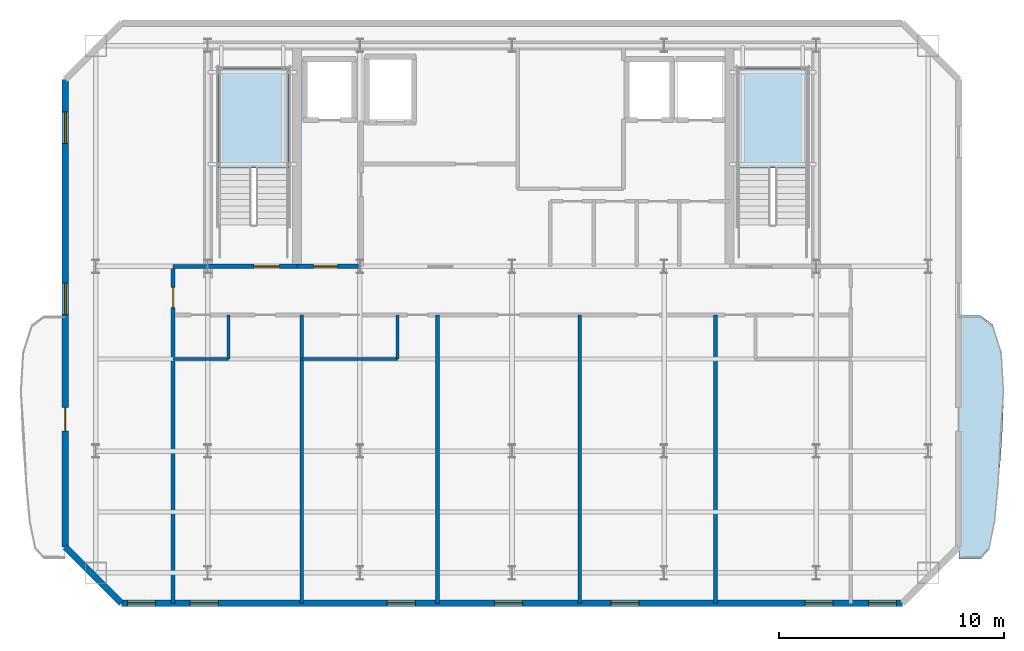
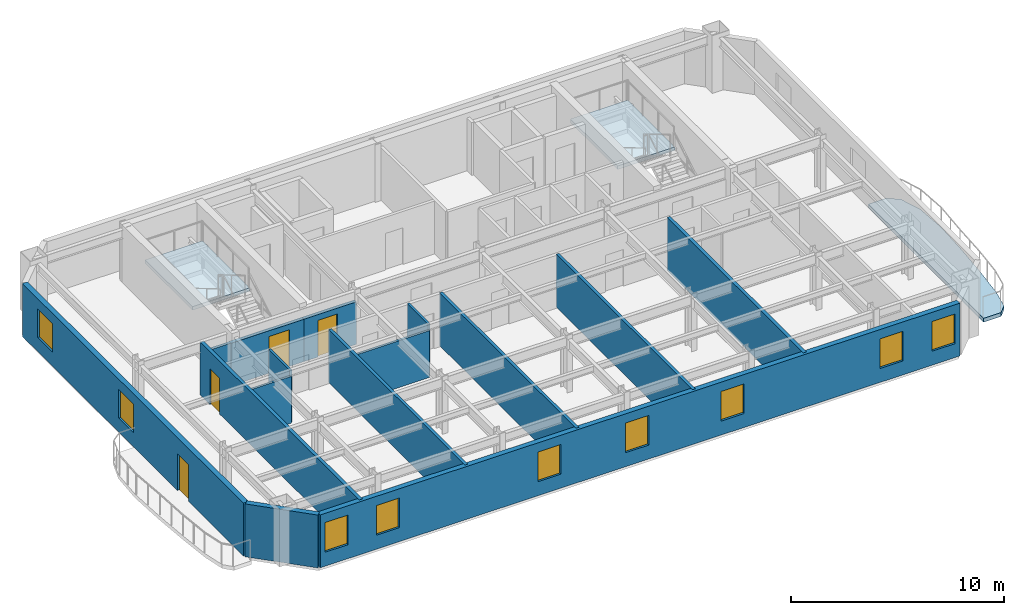
# One storey, part 2 of 6: 15 walls, 9 windows, 4 doors, 3 slabs, 13 openings, 2 elements without a shape of their own.
"""IFC4 building model written with IfcOpenShell, lengths in metres."""

import ifcopenshell
import ifcopenshell.guid

model = None  # the IFC model being written
_history = None  # IfcOwnerHistory: only IFC2X3 demands one
_inside = {}  # id of a spatial element -> (the spatial element, [elements in it])
_under = {}  # id of a project, library or spatial element -> (it, [spatial elements below it])
_declared = {}  # id of a project -> (the project, [libraries it declares])
_typed = {}  # id of a type object -> (the type object, [elements of that type])
_made_of = {}  # id of a material, layer set ... -> (it, [elements and type objects made of it])


def new_model(schema):
    """Start an empty IFC model of exactly this schema.

    Asked for "IFC4X3", IfcOpenShell would pick the latest addendum, in which some entities
    have other attributes; the version numbers below select the first issue.
    IFC2X3 requires an IfcOwnerHistory on every rooted entity: one is made here for all.
    """
    global model, _history
    if schema == "IFC4X3":
        model = ifcopenshell.file(schema_version=(4, 3, 0, 0))
    else:
        model = ifcopenshell.file(schema=schema)
    _inside.clear()
    _under.clear()
    _declared.clear()
    _typed.clear()
    _made_of.clear()
    _history = None
    if model.schema == "IFC2X3":
        org = make("IfcOrganization", Name="unknown")
        user = make(
            "IfcPersonAndOrganization",
            ThePerson=make("IfcPerson", FamilyName="unknown"),
            TheOrganization=org,
        )
        app = make(
            "IfcApplication",
            ApplicationDeveloper=org,
            Version="unknown",
            ApplicationFullName="unknown",
            ApplicationIdentifier="unknown",
        )
        _history = make(
            "IfcOwnerHistory",
            OwningUser=user,
            OwningApplication=app,
            ChangeAction="ADDED",
            CreationDate=0,
        )
    return model


def make(cls, **values):
    """One entity of the class cls with the attributes given. An attribute that is None is left unset."""
    return model.create_entity(
        cls, **{name: value for name, value in values.items() if value is not None}
    )


def rooted(cls, **values):
    """An entity with a GlobalId (a new one), such as an element, a storey or a relation."""
    return make(cls, GlobalId=ifcopenshell.guid.new(), OwnerHistory=_history, **values)


def si_unit(unit_type, name, prefix=None):
    """IfcSIUnit, for example si_unit("LENGTHUNIT", "METRE", prefix="MILLI")."""
    return make("IfcSIUnit", UnitType=unit_type, Prefix=prefix, Name=name)


def assignment(units):
    """IfcUnitAssignment: the units of a project."""
    return None if units is None else make("IfcUnitAssignment", Units=units)


def point(xyz):
    """IfcCartesianPoint."""
    return None if xyz is None else make("IfcCartesianPoint", Coordinates=xyz)


def direction(xyz):
    """IfcDirection."""
    return None if xyz is None else make("IfcDirection", DirectionRatios=xyz)


def frame(location, z_axis=None, x_axis=None):
    """IfcAxis2Placement3D, a coordinate frame: its origin and axes. An axis left out is left unset."""
    return make(
        "IfcAxis2Placement3D",
        Location=point(location),
        Axis=direction(z_axis),
        RefDirection=direction(x_axis),
    )


def frame_2d(location, x_axis=None):
    """IfcAxis2Placement2D, a coordinate frame in the plane: its origin and x axis."""
    return make(
        "IfcAxis2Placement2D", Location=point(location), RefDirection=direction(x_axis)
    )


def origin():
    """The frame at (0, 0, 0) with its axes left unset."""
    return frame((0.0, 0.0, 0.0))


def place(relative_to, where):
    """IfcLocalPlacement: puts the frame where relative to a parent placement (None: the world)."""
    return make(
        "IfcLocalPlacement", PlacementRelTo=relative_to, RelativePlacement=where
    )


def context(
    kind, dimensions, precision=None, world=None, true_north=None, identifier=None
):
    """IfcGeometricRepresentationContext, for example the 3D "Model" context."""
    return make(
        "IfcGeometricRepresentationContext",
        ContextIdentifier=identifier,
        ContextType=kind,
        CoordinateSpaceDimension=dimensions,
        Precision=precision,
        WorldCoordinateSystem=world,
        TrueNorth=true_north,
    )


def subcontext(parent, identifier, kind, view, scale=None):
    """IfcGeometricRepresentationSubContext, for example "Body" below "Model"."""
    return make(
        "IfcGeometricRepresentationSubContext",
        ContextIdentifier=identifier,
        ContextType=kind,
        ParentContext=parent,
        TargetScale=scale,
        TargetView=view,
    )


def project(units=None, contexts=None):
    """IfcProject with its units and contexts."""
    return rooted(
        "IfcProject",
        Name="project",
        RepresentationContexts=contexts,
        UnitsInContext=assignment(units),
    )


def spatial(cls, under=None, at=None, **own):
    """A site, building, storey or space (cls), placed at a placement, below another one or the project."""
    s = rooted(cls, ObjectPlacement=at, **own)
    if under is not None:
        _under.setdefault(under.id(), (under, []))[1].append(s)
    return s


def polyline(points):
    """IfcPolyline through the points."""
    return make("IfcPolyline", Points=[point(p) for p in points])


def profile(cls, at=None, kind="AREA", **sizes):
    """A parametric profile (cls). Its sizes go by their IFC names, for example OverallWidth=200.0."""
    return make(cls, ProfileType=kind, Position=at, **sizes)


def rectangle(**sizes):
    """IfcRectangleProfileDef."""
    return profile("IfcRectangleProfileDef", **sizes)


def outline(outer, holes=None, kind="AREA"):
    """IfcArbitraryClosedProfileDef: a profile drawn as a closed curve; with holes, ...WithVoids."""
    if holes is None:
        return make("IfcArbitraryClosedProfileDef", ProfileType=kind, OuterCurve=outer)
    return make(
        "IfcArbitraryProfileDefWithVoids",
        ProfileType=kind,
        OuterCurve=outer,
        InnerCurves=holes,
    )


def extrude(swept, where, along, depth):
    """IfcExtrudedAreaSolid: the profile swept, set in the frame where, extruded along a direction by depth."""
    return make(
        "IfcExtrudedAreaSolid",
        SweptArea=swept,
        Position=where,
        ExtrudedDirection=direction(along),
        Depth=depth,
    )


def shape(context_of_items, identifier, shape_type, items):
    """IfcShapeRepresentation: the items that make up one representation, for example the "Body"."""
    return make(
        "IfcShapeRepresentation",
        ContextOfItems=context_of_items,
        RepresentationIdentifier=identifier,
        RepresentationType=shape_type,
        Items=items,
    )


def material(Name=None, Category=None):
    """IfcMaterial."""
    return make("IfcMaterial", Name=Name, Category=Category)


def layer(
    of_material, thickness, ventilated=None, Name=None, Category=None, Priority=None
):
    """IfcMaterialLayer: one layer of a wall or slab, of a material (None: an air gap)."""
    return make(
        "IfcMaterialLayer",
        Material=of_material,
        LayerThickness=thickness,
        IsVentilated=ventilated,
        Name=Name,
        Category=Category,
        Priority=Priority,
    )


def layer_set(layers, Name=None):
    """IfcMaterialLayerSet."""
    return make("IfcMaterialLayerSet", MaterialLayers=layers, LayerSetName=Name)


def made_of(thing, what):
    """Note that an element or type object is made of a material, layer set ...; save() writes the relation."""
    if what is not None:
        _made_of.setdefault(what.id(), (what, []))[1].append(thing)
    return thing


def type_object(cls, material=None, **own):
    """A type object (cls), such as IfcWallType, which elements share."""
    return made_of(rooted(cls, **own), material)


def element(
    cls,
    number,
    at=None,
    inside=None,
    cuts=None,
    type_object=None,
    material=None,
    context=None,
    identifier="Body",
    shape_type=None,
    held_by="IfcProductDefinitionShape",
    body=None,
    shapes=None,
    **own,
):
    """One element of the class cls, such as IfcWall. Its Tag is "e" and its number.

    at: its placement. inside: the storey or other place that contains it. cuts: it is an
    opening in that element (IfcRelVoidsElement). A single representation is given by context,
    identifier, shape_type and body (its items); several are given by shapes. held_by: the class
    of the entity that holds the representations. save() writes the other relations.
    """
    e = rooted(cls, Tag="e%d" % number, ObjectPlacement=at, **own)
    if body is not None:
        shapes = [shape(context, identifier, shape_type, body)]
    if shapes is not None:
        e.Representation = make(held_by, Representations=shapes)
    if inside is not None:
        _inside.setdefault(inside.id(), (inside, []))[1].append(e)
    if cuts is not None:
        rooted(
            "IfcRelVoidsElement", RelatingBuildingElement=cuts, RelatedOpeningElement=e
        )
    if type_object is not None:
        _typed.setdefault(type_object.id(), (type_object, []))[1].append(e)
    return made_of(e, material)


def fill(opening, filler):
    """IfcRelFillsElement: the door or window that sits in an opening."""
    return rooted(
        "IfcRelFillsElement",
        RelatingOpeningElement=opening,
        RelatedBuildingElement=filler,
    )


def aggregate(whole, parts):
    """IfcRelAggregates: a whole, such as a stair, and the parts it consists of."""
    return rooted("IfcRelAggregates", RelatingObject=whole, RelatedObjects=parts)


def save(model, path):
    """Write the relations noted so far, then the file.

    IfcRelAggregates (storeys below a building ...), IfcRelContainedInSpatialStructure (elements
    in a storey), IfcRelDefinesByType, IfcRelAssociatesMaterial and IfcRelDeclares: one each for
    every whole, place, type object, material and project.
    """
    for whole, parts in _under.values():
        aggregate(whole, parts)
    for where, things in _inside.values():
        rooted(
            "IfcRelContainedInSpatialStructure",
            RelatedElements=things,
            RelatingStructure=where,
        )
    for kind, things in _typed.values():
        rooted("IfcRelDefinesByType", RelatedObjects=things, RelatingType=kind)
    for what, things in _made_of.values():
        rooted("IfcRelAssociatesMaterial", RelatedObjects=things, RelatingMaterial=what)
    for by, libraries in _declared.values():
        rooted("IfcRelDeclares", RelatingContext=by, RelatedDefinitions=libraries)
    model.write(path)


model = new_model("IFC4")

# Units and contexts
model_context = context("Model", 3, precision=1e-05, world=origin(), true_north=direction((0.0, 1.0)))
body_context = subcontext(model_context, "Body", "Model", "MODEL_VIEW")
ifc_project = project(units=[si_unit("LENGTHUNIT", "METRE"), si_unit("AREAUNIT", "SQUARE_METRE"), si_unit("VOLUMEUNIT", "CUBIC_METRE"), si_unit("PLANEANGLEUNIT", "RADIAN"), si_unit("MASSUNIT", "GRAM", prefix="KILO")], contexts=[model_context])

# Site, building, storey
site_placement = place(None, origin())
site = spatial("IfcSite", under=ifc_project, at=site_placement, CompositionType="ELEMENT")
building_placement = place(site_placement, origin())
building = spatial("IfcBuilding", under=site, at=building_placement, Name="Haevon Station Towers", CompositionType="ELEMENT")
storey_placement = place(building_placement, frame((0.0, 0.0, 242.699951171875)))
storey = spatial("IfcBuildingStorey", under=building, at=storey_placement, Name="L67", CompositionType="ELEMENT", Elevation=242.699951171875)

# Slab
ifc_material_1 = material(Name="Concrete C40/50", Category="concrete")
ifc_layer_1 = layer(ifc_material_1, 0.219970703125)
ifc_layer_set_1 = layer_set([ifc_layer_1], Name="Concrete C40/50")
slab_type_1 = type_object("IfcSlabType", Name="SL-BALC220", PredefinedType="FLOOR", material=ifc_layer_set_1)
slab_1_placement = place(storey_placement, frame((0.0, 0.0, -0.219970703125)))
element("IfcSlab", 1, at=slab_1_placement, inside=storey, type_object=slab_type_1, Name="Tower 1 L67 East SCALLOPED BALCONY", PredefinedType="FLOOR", context=body_context, shape_type="SweptSolid", body=[
    extrude(outline(polyline([(57.330078125, 25.22509765625), (58.287353515625, 25.22509765625), (58.67822265625, 25.635986328125), (58.92431640625, 26.806640625), (59.0947265625, 28.55859375), (59.25048828125, 30.625), (59.33740234375, 32.69140625), (59.22216796875, 34.443359375), (58.841064453125, 35.614013671875), (58.287353515625, 36.02490234375), (57.330078125, 36.02490234375), (57.330078125, 25.22509765625)])), origin(), (0.0, 0.0, 1.0), 0.219970703125),
])

# Stair, slab
stair_type = type_object("IfcStairType", Name="STR-DL1450", PredefinedType="USERDEFINED", material=ifc_material_1)
stair_1_placement = place(storey_placement, origin())
stair_1 = element("IfcStair", 2, at=stair_1_placement, inside=storey, type_object=stair_type, Name="L67 Escape Stair ST1", ObjectType="TWO_RETURN_STAIR", PredefinedType="USERDEFINED")
ifc_layer_2 = layer(ifc_material_1, 0.199951171875)
ifc_layer_set_2 = layer_set([ifc_layer_2], Name="Concrete C40/50")
slab_type_2 = type_object("IfcSlabType", Name="SL-LND200", PredefinedType="LANDING", material=ifc_layer_set_2)
slab_2_placement = place(storey_placement, frame((0.0, 0.0, 1.449951171875)))
slab_2 = element("IfcSlab", 3, at=slab_2_placement, type_object=slab_type_2, Name="L67 ST1 Half Landing 1", PredefinedType="LANDING", context=body_context, shape_type="SweptSolid", body=[
    extrude(outline(polyline([(27.580078125, 42.56396484375), (27.580078125, 47.0), (24.47998046875, 47.0), (24.47998046875, 42.56396484375), (27.580078125, 42.56396484375)])), origin(), (0.0, 0.0, 1.0), 0.2001953125),
])
aggregate(stair_1, [slab_2])

stair_2_placement = place(storey_placement, origin())
stair_2 = element("IfcStair", 4, at=stair_2_placement, inside=storey, type_object=stair_type, Name="L67 Escape Stair ST2", ObjectType="TWO_RETURN_STAIR", PredefinedType="USERDEFINED")
slab_3_placement = place(storey_placement, frame((0.0, 0.0, 1.449951171875)))
slab_3 = element("IfcSlab", 5, at=slab_3_placement, type_object=slab_type_2, Name="L67 ST2 Half Landing 1", PredefinedType="LANDING", context=body_context, shape_type="SweptSolid", body=[
    extrude(outline(polyline([(50.6201171875, 42.56396484375), (50.6201171875, 47.0), (47.52001953125, 47.0), (47.52001953125, 42.56396484375), (50.6201171875, 42.56396484375)])), origin(), (0.0, 0.0, 1.0), 0.2001953125),
])
aggregate(stair_2, [slab_3])

# Wall, opening, door
ifc_material_2 = material(Name="Gypsum board on steel stud", Category="steel")
ifc_layer_3 = layer(ifc_material_2, 0.179931640625)
ifc_layer_set_3 = layer_set([ifc_layer_3], Name="Gypsum board on steel stud")
wall_type_1 = type_object("IfcWallType", Name="WL-ACU180", PredefinedType="PARTITIONING", material=ifc_layer_set_3)
wall_1_placement = place(storey_placement, frame((22.4619140625, 23.25, 0.0), z_axis=(0.0, 0.0, 1.0), x_axis=(0.0, 1.0, 0.0)))
wall_1 = element("IfcWall", 6, at=wall_1_placement, inside=storey, type_object=wall_type_1, Name="WL-T1PT-L67-03", PredefinedType="PARTITIONING", context=body_context, shape_type="SweptSolid", body=[
    extrude(rectangle(XDim=14.949951171875, YDim=0.179931640625, at=frame_2d((7.47509765625, 0.0))), origin(), (0.0, 0.0, 1.0), 3.030029296875),
])
opening_1_placement = place(wall_1_placement, frame((13.1201171875, 0.0, 0.0)))
opening_1 = element("IfcOpeningElement", 7, at=opening_1_placement, cuts=wall_1, Name="Opening DR-WL-T1PT-L67-03-01", PredefinedType="OPENING", context=body_context, shape_type="SweptSolid", body=[
    extrude(rectangle(XDim=0.89990234375, YDim=2.050048828125, at=frame_2d((0.449951171875, 1.02490234375))), frame((0.0, 0.099853515625, 0.0), z_axis=(0.0, -1.0, 0.0), x_axis=(1.0, 0.0, 0.0)), (0.0, 0.0, 1.0), 0.199951171875),
])
ifc_material_3 = material(Name="Engineered oak timber", Category="wood")
door_type_1 = type_object("IfcDoorType", Name="DR-INT-900", OperationType="NOTDEFINED", PredefinedType="DOOR", material=ifc_material_3)
door_1_placement = place(opening_1_placement, origin())
door_1 = element("IfcDoor", 8, at=door_1_placement, inside=storey, type_object=door_type_1, Name="L67 Tower 1 Room Door 3-1", OperationType="SINGLE_SWING_RIGHT", OverallHeight=2.050048828125, OverallWidth=0.89990234375, PredefinedType="DOOR", context=body_context, shape_type="SweptSolid", body=[
    extrude(rectangle(XDim=0.89990234375, YDim=2.050048828125, at=frame_2d((0.449951171875, 1.02490234375))), frame((0.0, 0.02490234375, 0.0), z_axis=(0.0, -1.0, 0.0), x_axis=(1.0, 0.0, 0.0)), (0.0, 0.0, 1.0), 0.050048828125),
])
fill(opening_1, door_1)

# Wall
wall_2_placement = place(storey_placement, frame((46.522705078125, 23.25, 0.0), z_axis=(0.0, 0.0, 1.0), x_axis=(0.0, 1.0, 0.0)))
element("IfcWall", 9, at=wall_2_placement, inside=storey, type_object=wall_type_1, Name="WL-T1PT-L67-12", PredefinedType="PARTITIONING", context=body_context, shape_type="SweptSolid", body=[
    extrude(rectangle(XDim=12.800048828125, YDim=0.179931640625, at=frame_2d((6.39990234375, 0.0))), origin(), (0.0, 0.0, 1.0), 3.030029296875),
])

# Wall, opening, door
ifc_layer_4 = layer(ifc_material_2, 0.199951171875)
ifc_layer_set_4 = layer_set([ifc_layer_4], Name="Gypsum board on steel stud")
wall_type_2 = type_object("IfcWallType", Name="WL-COR200", PredefinedType="PARTITIONING", material=ifc_layer_set_4)
wall_3_placement = place(storey_placement, frame((24.0, 38.199951171875, 0.0), z_axis=(0.0, 0.0, 1.0), x_axis=(1.0, 0.0, 0.0)))
wall_3 = element("IfcWall", 10, at=wall_3_placement, inside=storey, type_object=wall_type_2, Name="WL-ST-ST1-L67", PredefinedType="PARTITIONING", context=body_context, shape_type="SweptSolid", body=[
    extrude(rectangle(XDim=3.949951171875, YDim=0.199951171875, at=frame_2d((1.97509765625, 0.0))), origin(), (0.0, 0.0, 1.0), 2.429931640625),
])
opening_2_placement = place(wall_3_placement, frame((2.050048828125, 0.0, 0.0)))
opening_2 = element("IfcOpeningElement", 11, at=opening_2_placement, cuts=wall_3, Name="Opening DR-ST-ST1-L67", PredefinedType="OPENING", context=body_context, shape_type="SweptSolid", body=[
    extrude(rectangle(XDim=1.1201171875, YDim=2.10009765625, at=frame_2d((0.56005859375, 1.050048828125))), frame((0.0, 0.10986328125, 0.0), z_axis=(0.0, -1.0, 0.0), x_axis=(1.0, 0.0, 0.0)), (0.0, 0.0, 1.0), 0.219970703125),
])
door_type_2 = type_object("IfcDoorType", Name="DR-ST-1120", OperationType="NOTDEFINED", PredefinedType="DOOR", material=ifc_material_3)
door_2_placement = place(opening_2_placement, origin())
door_2 = element("IfcDoor", 12, at=door_2_placement, inside=storey, type_object=door_type_2, Name="L67 Escape Stair ST1 Fire Door", OperationType="SINGLE_SWING_RIGHT", OverallHeight=2.10009765625, OverallWidth=1.1201171875, PredefinedType="DOOR", context=body_context, shape_type="SweptSolid", body=[
    extrude(rectangle(XDim=1.1201171875, YDim=2.10009765625, at=frame_2d((0.56005859375, 1.050048828125))), frame((0.0, 0.02490234375, 0.0), z_axis=(0.0, -1.0, 0.0), x_axis=(1.0, 0.0, 0.0)), (0.0, 0.0, 1.0), 0.050048828125),
])
fill(opening_2, door_2)

wall_4_placement = place(storey_placement, frame((27.949951171875, 38.199951171875, 0.0), z_axis=(0.0, 0.0, 1.0), x_axis=(1.0, 0.0, 0.0)))
wall_4 = element("IfcWall", 13, at=wall_4_placement, inside=storey, type_object=wall_type_2, Name="WL-T1FFL-L67-S", PredefinedType="PARTITIONING", context=body_context, shape_type="SweptSolid", body=[
    extrude(rectangle(XDim=2.85009765625, YDim=0.199951171875, at=frame_2d((1.425048828125, 0.0))), origin(), (0.0, 0.0, 1.0), 2.429931640625),
])
opening_3_placement = place(wall_4_placement, frame((0.75, 0.0, 0.0)))
opening_3 = element("IfcOpeningElement", 14, at=opening_3_placement, cuts=wall_4, Name="Opening DR-T1FFL-L67-S", PredefinedType="OPENING", context=body_context, shape_type="SweptSolid", body=[
    extrude(rectangle(XDim=1.050048828125, YDim=2.10009765625, at=frame_2d((0.52490234375, 1.050048828125))), frame((0.0, 0.10986328125, 0.0), z_axis=(0.0, -1.0, 0.0), x_axis=(1.0, 0.0, 0.0)), (0.0, 0.0, 1.0), 0.219970703125),
])
door_type_3 = type_object("IfcDoorType", Name="DR-FD60-1050", OperationType="NOTDEFINED", PredefinedType="DOOR", material=ifc_material_3)
door_3_placement = place(opening_3_placement, origin())
door_3 = element("IfcDoor", 15, at=door_3_placement, inside=storey, type_object=door_type_3, Name="L67 Tower 1 Firefighting Lift Lobby Door S", OperationType="SINGLE_SWING_LEFT", OverallHeight=2.10009765625, OverallWidth=1.050048828125, PredefinedType="DOOR", context=body_context, shape_type="SweptSolid", body=[
    extrude(rectangle(XDim=1.050048828125, YDim=2.10009765625, at=frame_2d((0.52490234375, 1.050048828125))), frame((0.0, 0.02490234375, 0.0), z_axis=(0.0, -1.0, 0.0), x_axis=(1.0, 0.0, 0.0)), (0.0, 0.0, 1.0), 0.050048828125),
])
fill(opening_3, door_3)

# Wall, openings, windows
ifc_material_4 = material(Name="Precast concrete C45/55", Category="concrete")
ifc_layer_5 = layer(ifc_material_4, 0.280029296875)
ifc_layer_set_5 = layer_set([ifc_layer_5], Name="Precast concrete C45/55")
wall_type_3 = type_object("IfcWallType", Name="WL-EXT-PIER280", PredefinedType="SOLIDWALL", material=ifc_layer_set_5)
wall_5_placement = place(storey_placement, frame((54.824951171875, 23.25, 0.0), z_axis=(0.0, 0.0, 1.0), x_axis=(-1.0, 0.0, 0.0)))
wall_5 = element("IfcWall", 16, at=wall_5_placement, inside=storey, type_object=wall_type_3, Name="WL-T1-L67-S", PredefinedType="SOLIDWALL", context=body_context, shape_type="SweptSolid", body=[
    extrude(rectangle(XDim=34.64990234375, YDim=0.280029296875, at=frame_2d((17.324951171875, 0.0))), origin(), (0.0, 0.0, 1.0), 3.030029296875),
])
opening_4_placement = place(wall_5_placement, frame((33.14990234375, 0.0, 0.800048828125)))
opening_4 = element("IfcOpeningElement", 17, at=opening_4_placement, cuts=wall_5, Name="Opening WN-P125", PredefinedType="OPENING", context=body_context, shape_type="SweptSolid", body=[
    extrude(rectangle(XDim=1.25, YDim=1.699951171875, at=frame_2d((0.625, 0.85009765625))), frame((0.0, 0.14990234375, 0.0), z_axis=(0.0, -1.0, 0.0), x_axis=(1.0, 0.0, 0.0)), (0.0, 0.0, 1.0), 0.300048828125),
])
opening_5_placement = place(wall_5_placement, frame((0.25, 0.0, 0.800048828125)))
opening_5 = element("IfcOpeningElement", 18, at=opening_5_placement, cuts=wall_5, Name="Opening WN-P125", PredefinedType="OPENING", context=body_context, shape_type="SweptSolid", body=[
    extrude(rectangle(XDim=1.25, YDim=1.699951171875, at=frame_2d((0.625, 0.85009765625))), frame((0.0, 0.14990234375, 0.0), z_axis=(0.0, -1.0, 0.0), x_axis=(1.0, 0.0, 0.0)), (0.0, 0.0, 1.0), 0.300048828125),
])
opening_6_placement = place(wall_5_placement, frame((30.362548828125, 0.0, 0.800048828125)))
opening_6 = element("IfcOpeningElement", 19, at=opening_6_placement, cuts=wall_5, Name="Opening WN-P125", PredefinedType="OPENING", context=body_context, shape_type="SweptSolid", body=[
    extrude(rectangle(XDim=1.25, YDim=1.699951171875, at=frame_2d((0.625, 0.85009765625))), frame((0.0, 0.14990234375, 0.0), z_axis=(0.0, -1.0, 0.0), x_axis=(1.0, 0.0, 0.0)), (0.0, 0.0, 1.0), 0.300048828125),
])
opening_7_placement = place(wall_5_placement, frame((21.6142578125, 0.0, 0.800048828125)))
opening_7 = element("IfcOpeningElement", 20, at=opening_7_placement, cuts=wall_5, Name="Opening WN-P125", PredefinedType="OPENING", context=body_context, shape_type="SweptSolid", body=[
    extrude(rectangle(XDim=1.25, YDim=1.699951171875, at=frame_2d((0.625, 0.85009765625))), frame((0.0, 0.14990234375, 0.0), z_axis=(0.0, -1.0, 0.0), x_axis=(1.0, 0.0, 0.0)), (0.0, 0.0, 1.0), 0.300048828125),
])
opening_8_placement = place(wall_5_placement, frame((16.850341796875, 0.0, 0.800048828125)))
opening_8 = element("IfcOpeningElement", 21, at=opening_8_placement, cuts=wall_5, Name="Opening WN-P125", PredefinedType="OPENING", context=body_context, shape_type="SweptSolid", body=[
    extrude(rectangle(XDim=1.25, YDim=1.699951171875, at=frame_2d((0.625, 0.85009765625))), frame((0.0, 0.14990234375, 0.0), z_axis=(0.0, -1.0, 0.0), x_axis=(1.0, 0.0, 0.0)), (0.0, 0.0, 1.0), 0.300048828125),
])
opening_9_placement = place(wall_5_placement, frame((11.68603515625, 0.0, 0.800048828125)))
opening_9 = element("IfcOpeningElement", 22, at=opening_9_placement, cuts=wall_5, Name="Opening WN-P125", PredefinedType="OPENING", context=body_context, shape_type="SweptSolid", body=[
    extrude(rectangle(XDim=1.25, YDim=1.699951171875, at=frame_2d((0.625, 0.85009765625))), frame((0.0, 0.14990234375, 0.0), z_axis=(0.0, -1.0, 0.0), x_axis=(1.0, 0.0, 0.0)), (0.0, 0.0, 1.0), 0.300048828125),
])
opening_10_placement = place(wall_5_placement, frame((3.0673828125, 0.0, 0.800048828125)))
opening_10 = element("IfcOpeningElement", 23, at=opening_10_placement, cuts=wall_5, Name="Opening WN-P125", PredefinedType="OPENING", context=body_context, shape_type="SweptSolid", body=[
    extrude(rectangle(XDim=1.25, YDim=1.699951171875, at=frame_2d((0.625, 0.85009765625))), frame((0.0, 0.14990234375, 0.0), z_axis=(0.0, -1.0, 0.0), x_axis=(1.0, 0.0, 0.0)), (0.0, 0.0, 1.0), 0.300048828125),
])
ifc_material_5 = material(Name="Low-E triple glazing in thermally broken aluminium", Category="aluminium")
window_type_1 = type_object("IfcWindowType", Name="WN-P125", PartitioningType="SINGLE_PANEL", PredefinedType="WINDOW", material=ifc_material_5)
window_1_placement = place(opening_4_placement, origin())
window_1 = element("IfcWindow", 24, at=window_1_placement, inside=storey, type_object=window_type_1, Name="WN-T1-L67-S01", OverallHeight=1.699951171875, OverallWidth=1.25, PartitioningType="SINGLE_PANEL", PredefinedType="WINDOW", context=body_context, shape_type="SweptSolid", body=[
    extrude(rectangle(XDim=1.25, YDim=1.699951171875, at=frame_2d((0.625, 0.85009765625))), frame((0.0, 0.030029296875, 0.0), z_axis=(0.0, -1.0, 0.0), x_axis=(1.0, 0.0, 0.0)), (0.0, 0.0, 1.0), 0.06005859375),
])
fill(opening_4, window_1)
window_2_placement = place(opening_5_placement, origin())
window_2 = element("IfcWindow", 25, at=window_2_placement, inside=storey, type_object=window_type_1, Name="WN-T1-L67-S02", OverallHeight=1.699951171875, OverallWidth=1.25, PartitioningType="SINGLE_PANEL", PredefinedType="WINDOW", context=body_context, shape_type="SweptSolid", body=[
    extrude(rectangle(XDim=1.25, YDim=1.699951171875, at=frame_2d((0.625, 0.85009765625))), frame((0.0, 0.030029296875, 0.0), z_axis=(0.0, -1.0, 0.0), x_axis=(1.0, 0.0, 0.0)), (0.0, 0.0, 1.0), 0.06005859375),
])
fill(opening_5, window_2)
window_3_placement = place(opening_6_placement, origin())
window_3 = element("IfcWindow", 26, at=window_3_placement, inside=storey, type_object=window_type_1, Name="WN-T1-L67-S03", OverallHeight=1.699951171875, OverallWidth=1.25, PartitioningType="SINGLE_PANEL", PredefinedType="WINDOW", context=body_context, shape_type="SweptSolid", body=[
    extrude(rectangle(XDim=1.25, YDim=1.699951171875, at=frame_2d((0.625, 0.85009765625))), frame((0.0, 0.030029296875, 0.0), z_axis=(0.0, -1.0, 0.0), x_axis=(1.0, 0.0, 0.0)), (0.0, 0.0, 1.0), 0.06005859375),
])
fill(opening_6, window_3)
window_4_placement = place(opening_7_placement, origin())
window_4 = element("IfcWindow", 27, at=window_4_placement, inside=storey, type_object=window_type_1, Name="WN-T1-L67-S04", OverallHeight=1.699951171875, OverallWidth=1.25, PartitioningType="SINGLE_PANEL", PredefinedType="WINDOW", context=body_context, shape_type="SweptSolid", body=[
    extrude(rectangle(XDim=1.25, YDim=1.699951171875, at=frame_2d((0.625, 0.85009765625))), frame((0.0, 0.030029296875, 0.0), z_axis=(0.0, -1.0, 0.0), x_axis=(1.0, 0.0, 0.0)), (0.0, 0.0, 1.0), 0.06005859375),
])
fill(opening_7, window_4)
window_5_placement = place(opening_8_placement, origin())
window_5 = element("IfcWindow", 28, at=window_5_placement, inside=storey, type_object=window_type_1, Name="WN-T1-L67-S05", OverallHeight=1.699951171875, OverallWidth=1.25, PartitioningType="SINGLE_PANEL", PredefinedType="WINDOW", context=body_context, shape_type="SweptSolid", body=[
    extrude(rectangle(XDim=1.25, YDim=1.699951171875, at=frame_2d((0.625, 0.85009765625))), frame((0.0, 0.030029296875, 0.0), z_axis=(0.0, -1.0, 0.0), x_axis=(1.0, 0.0, 0.0)), (0.0, 0.0, 1.0), 0.06005859375),
])
fill(opening_8, window_5)
window_6_placement = place(opening_9_placement, origin())
window_6 = element("IfcWindow", 29, at=window_6_placement, inside=storey, type_object=window_type_1, Name="WN-T1-L67-S06", OverallHeight=1.699951171875, OverallWidth=1.25, PartitioningType="SINGLE_PANEL", PredefinedType="WINDOW", context=body_context, shape_type="SweptSolid", body=[
    extrude(rectangle(XDim=1.25, YDim=1.699951171875, at=frame_2d((0.625, 0.85009765625))), frame((0.0, 0.030029296875, 0.0), z_axis=(0.0, -1.0, 0.0), x_axis=(1.0, 0.0, 0.0)), (0.0, 0.0, 1.0), 0.06005859375),
])
fill(opening_9, window_6)
window_7_placement = place(opening_10_placement, origin())
window_7 = element("IfcWindow", 30, at=window_7_placement, inside=storey, type_object=window_type_1, Name="WN-T1-L67-S07", OverallHeight=1.699951171875, OverallWidth=1.25, PartitioningType="SINGLE_PANEL", PredefinedType="WINDOW", context=body_context, shape_type="SweptSolid", body=[
    extrude(rectangle(XDim=1.25, YDim=1.699951171875, at=frame_2d((0.625, 0.85009765625))), frame((0.0, 0.030029296875, 0.0), z_axis=(0.0, -1.0, 0.0), x_axis=(1.0, 0.0, 0.0)), (0.0, 0.0, 1.0), 0.06005859375),
])
fill(opening_10, window_7)

# Wall
wall_6_placement = place(storey_placement, frame((20.175048828125, 23.25, 0.0), z_axis=(0.0, 0.0, 1.0), x_axis=(-0.707106781187, 0.707106781187, 0.0)))
element("IfcWall", 31, at=wall_6_placement, inside=storey, type_object=wall_type_3, Name="WL-T1-L67-SWC", PredefinedType="SOLIDWALL", context=body_context, shape_type="SweptSolid", body=[
    extrude(rectangle(XDim=3.53564453125, YDim=0.280029296875, at=frame_2d((1.767822265625, 0.0))), origin(), (0.0, 0.0, 1.0), 3.030029296875),
])

# Wall, openings, door, windows
wall_7_placement = place(storey_placement, frame((17.675048828125, 25.75, 0.0), z_axis=(0.0, 0.0, 1.0), x_axis=(0.0, 1.0, 0.0)))
wall_7 = element("IfcWall", 32, at=wall_7_placement, inside=storey, type_object=wall_type_3, Name="WL-T1-L67-W", PredefinedType="SOLIDWALL", context=body_context, shape_type="SweptSolid", body=[
    extrude(rectangle(XDim=20.75, YDim=0.280029296875, at=frame_2d((10.375, 0.0))), origin(), (0.0, 0.0, 1.0), 3.030029296875),
])
opening_11_placement = place(wall_7_placement, frame((5.14990234375, 0.0, 0.0)))
opening_11 = element("IfcOpeningElement", 33, at=opening_11_placement, cuts=wall_7, Name="Opening DR-T1-SCAL-L67-W", PredefinedType="OPENING", context=body_context, shape_type="SweptSolid", body=[
    extrude(rectangle(XDim=1.050048828125, YDim=2.10009765625, at=frame_2d((0.52490234375, 1.050048828125))), frame((0.0, 0.14990234375, 0.0), z_axis=(0.0, -1.0, 0.0), x_axis=(1.0, 0.0, 0.0)), (0.0, 0.0, 1.0), 0.300048828125),
])
opening_12_placement = place(wall_7_placement, frame((10.308837890625, 0.0, 0.800048828125)))
opening_12 = element("IfcOpeningElement", 34, at=opening_12_placement, cuts=wall_7, Name="Opening WN-END140", PredefinedType="OPENING", context=body_context, shape_type="SweptSolid", body=[
    extrude(rectangle(XDim=1.39990234375, YDim=1.64990234375, at=frame_2d((0.699951171875, 0.824951171875))), frame((0.0, 0.14990234375, 0.0), z_axis=(0.0, -1.0, 0.0), x_axis=(1.0, 0.0, 0.0)), (0.0, 0.0, 1.0), 0.300048828125),
])
opening_13_placement = place(wall_7_placement, frame((17.916015625, 0.0, 0.800048828125)))
opening_13 = element("IfcOpeningElement", 35, at=opening_13_placement, cuts=wall_7, Name="Opening WN-END140", PredefinedType="OPENING", context=body_context, shape_type="SweptSolid", body=[
    extrude(rectangle(XDim=1.39990234375, YDim=1.64990234375, at=frame_2d((0.699951171875, 0.824951171875))), frame((0.0, 0.14990234375, 0.0), z_axis=(0.0, -1.0, 0.0), x_axis=(1.0, 0.0, 0.0)), (0.0, 0.0, 1.0), 0.300048828125),
])
ifc_material_6 = material(Name="Thermally broken anodised aluminium and laminated safety glass", Category="aluminium")
door_type_4 = type_object("IfcDoorType", Name="DR-BALC-1050", OperationType="NOTDEFINED", PredefinedType="DOOR", material=ifc_material_6)
door_4_placement = place(opening_11_placement, origin())
door_4 = element("IfcDoor", 36, at=door_4_placement, inside=storey, type_object=door_type_4, Name="Tower 1 L67 West Scalloped Balcony Door", OperationType="SINGLE_SWING_LEFT", OverallHeight=2.10009765625, OverallWidth=1.050048828125, PredefinedType="DOOR", context=body_context, shape_type="SweptSolid", body=[
    extrude(rectangle(XDim=1.050048828125, YDim=2.10009765625, at=frame_2d((0.52490234375, 1.050048828125))), frame((0.0, 0.02490234375, 0.0), z_axis=(0.0, -1.0, 0.0), x_axis=(1.0, 0.0, 0.0)), (0.0, 0.0, 1.0), 0.050048828125),
])
fill(opening_11, door_4)
window_type_2 = type_object("IfcWindowType", Name="WN-END140", PartitioningType="SINGLE_PANEL", PredefinedType="WINDOW", material=ifc_material_5)
window_8_placement = place(opening_12_placement, origin())
window_8 = element("IfcWindow", 37, at=window_8_placement, inside=storey, type_object=window_type_2, Name="WN-T1-L67-W01", OverallHeight=1.64990234375, OverallWidth=1.39990234375, PartitioningType="SINGLE_PANEL", PredefinedType="WINDOW", context=body_context, shape_type="SweptSolid", body=[
    extrude(rectangle(XDim=1.39990234375, YDim=1.64990234375, at=frame_2d((0.699951171875, 0.824951171875))), frame((0.0, 0.030029296875, 0.0), z_axis=(0.0, -1.0, 0.0), x_axis=(1.0, 0.0, 0.0)), (0.0, 0.0, 1.0), 0.06005859375),
])
fill(opening_12, window_8)
window_9_placement = place(opening_13_placement, origin())
window_9 = element("IfcWindow", 38, at=window_9_placement, inside=storey, type_object=window_type_2, Name="WN-T1-L67-W02", OverallHeight=1.64990234375, OverallWidth=1.39990234375, PartitioningType="SINGLE_PANEL", PredefinedType="WINDOW", context=body_context, shape_type="SweptSolid", body=[
    extrude(rectangle(XDim=1.39990234375, YDim=1.64990234375, at=frame_2d((0.699951171875, 0.824951171875))), frame((0.0, 0.030029296875, 0.0), z_axis=(0.0, -1.0, 0.0), x_axis=(1.0, 0.0, 0.0)), (0.0, 0.0, 1.0), 0.06005859375),
])
fill(opening_13, window_9)

# Walls
ifc_layer_6 = layer(ifc_material_2, 0.125)
ifc_layer_set_6 = layer_set([ifc_layer_6], Name="Gypsum board on steel stud")
wall_type_4 = type_object("IfcWallType", Name="WL-PRT125", PredefinedType="PARTITIONING", material=ifc_layer_set_6)
wall_8_placement = place(storey_placement, frame((22.4619140625, 34.10009765625, 0.0), z_axis=(0.0, 0.0, 1.0), x_axis=(1.0, 0.0, 0.0)))
element("IfcWall", 39, at=wall_8_placement, inside=storey, type_object=wall_type_4, Name="WL-T1PT-L67-05", PredefinedType="PARTITIONING", context=body_context, shape_type="SweptSolid", body=[
    extrude(rectangle(XDim=2.4501953125, YDim=0.125, at=frame_2d((1.22509765625, 0.0))), origin(), (0.0, 0.0, 1.0), 2.679931640625),
])
wall_9_placement = place(storey_placement, frame((24.912109375, 34.10009765625, 0.0), z_axis=(0.0, 0.0, 1.0), x_axis=(0.0, 1.0, 0.0)))
element("IfcWall", 40, at=wall_9_placement, inside=storey, type_object=wall_type_4, Name="WL-T1PT-L67-06", PredefinedType="PARTITIONING", context=body_context, shape_type="SweptSolid", body=[
    extrude(rectangle(XDim=1.949951171875, YDim=0.125, at=frame_2d((0.97509765625, 0.0))), origin(), (0.0, 0.0, 1.0), 3.030029296875),
])
wall_10_placement = place(storey_placement, frame((28.176513671875, 34.10009765625, 0.0), z_axis=(0.0, 0.0, 1.0), x_axis=(1.0, 0.0, 0.0)))
element("IfcWall", 41, at=wall_10_placement, inside=storey, type_object=wall_type_4, Name="WL-T1PT-L67-08", PredefinedType="PARTITIONING", context=body_context, shape_type="SweptSolid", body=[
    extrude(rectangle(XDim=4.235107421875, YDim=0.125, at=frame_2d((2.11767578125, 0.0))), origin(), (0.0, 0.0, 1.0), 2.679931640625),
])
wall_11_placement = place(storey_placement, frame((32.41162109375, 34.10009765625, 0.0), z_axis=(0.0, 0.0, 1.0), x_axis=(0.0, 1.0, 0.0)))
element("IfcWall", 42, at=wall_11_placement, inside=storey, type_object=wall_type_4, Name="WL-T1PT-L67-09", PredefinedType="PARTITIONING", context=body_context, shape_type="SweptSolid", body=[
    extrude(rectangle(XDim=1.949951171875, YDim=0.125, at=frame_2d((0.97509765625, 0.0))), origin(), (0.0, 0.0, 1.0), 3.030029296875),
])
ifc_layer_7 = layer(ifc_material_2, 0.159912109375)
ifc_layer_set_7 = layer_set([ifc_layer_7], Name="Gypsum board on steel stud")
wall_type_5 = type_object("IfcWallType", Name="WL-PRT160", PredefinedType="PARTITIONING", material=ifc_layer_set_7)
wall_12_placement = place(storey_placement, frame((22.4619140625, 38.199951171875, 0.0), z_axis=(0.0, 0.0, 1.0), x_axis=(1.0, 0.0, 0.0)))
element("IfcWall", 43, at=wall_12_placement, inside=storey, type_object=wall_type_5, Name="WL-T1PT-L67-01", PredefinedType="PARTITIONING", context=body_context, shape_type="SweptSolid", body=[
    extrude(rectangle(XDim=1.5380859375, YDim=0.159912109375, at=frame_2d((0.76904296875, 0.0))), origin(), (0.0, 0.0, 1.0), 2.429931640625),
])
for number, where, z_axis, x_axis, name in (
    (44, (28.176513671875, 23.25, 0.0), (0.0, 0.0, 1.0), (0.0, 1.0, 0.0), "WL-T1PT-L67-07"),
    (45, (34.191650390625, 23.25, 0.0), (0.0, 0.0, 1.0), (0.0, 1.0, 0.0), "WL-T1PT-L67-10"),
    (46, (40.507568359375, 23.25, 0.0), (0.0, 0.0, 1.0), (0.0, 1.0, 0.0), "WL-T1PT-L67-11"),
):
    element("IfcWall", number, at=place(storey_placement, frame(where, z_axis=z_axis, x_axis=x_axis)), inside=storey, type_object=wall_type_5, Name=name, PredefinedType="PARTITIONING", context=body_context, shape_type="SweptSolid", body=[
        extrude(rectangle(XDim=12.800048828125, YDim=0.159912109375, at=frame_2d((6.39990234375, 0.0))), origin(), (0.0, 0.0, 1.0), 3.030029296875),
    ])

save(model, "model.ifc")
